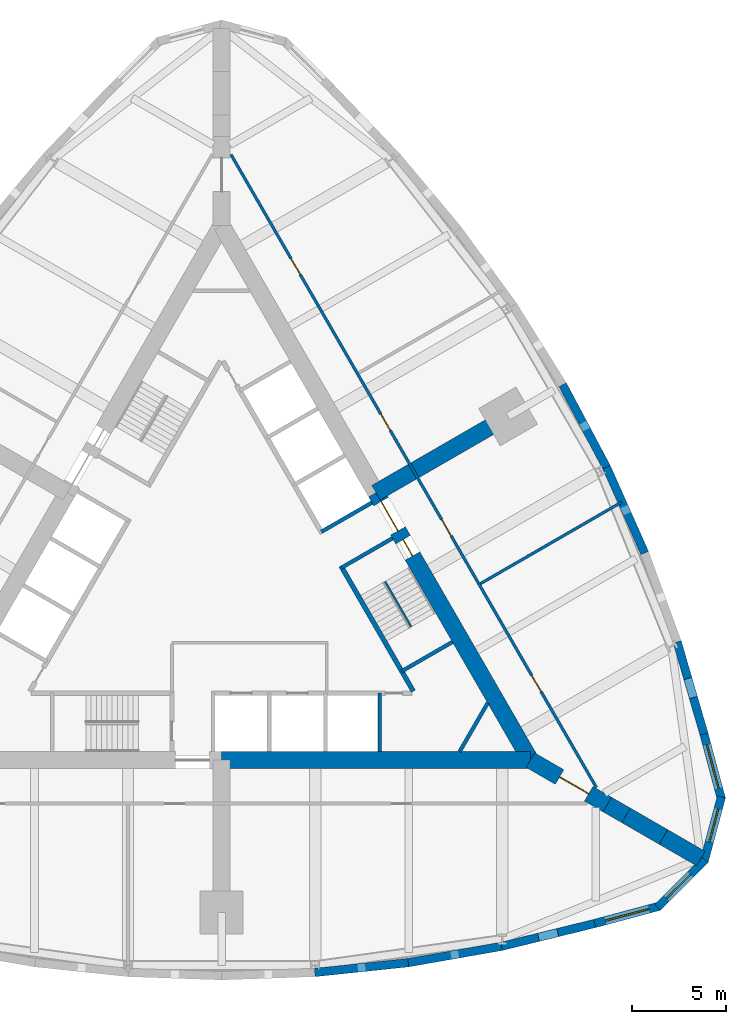
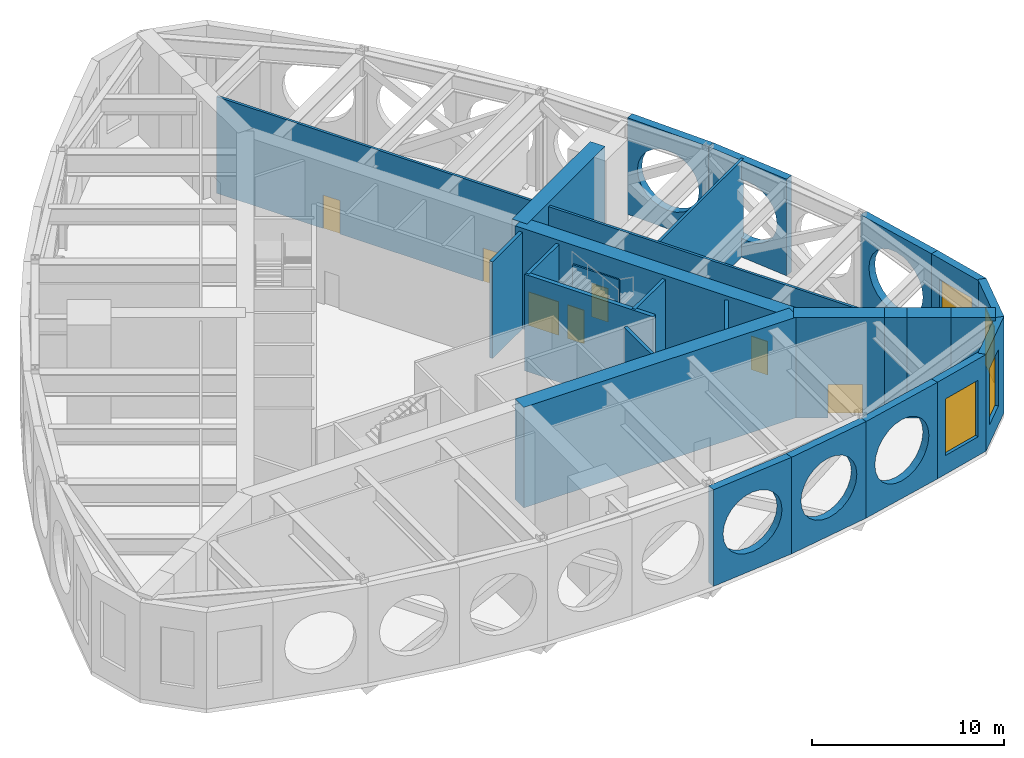
# One storey, part 4 of 7: 26 walls, 7 doors, 4 windows, 11 openings.
"""IFC4 building model written with IfcOpenShell, lengths in metres."""

from ifc_helpers import new_model, si_unit, direction, frame, frame_2d, origin, place, context, subcontext, project, spatial, polyline, rectangle, outline, extrude, material, layer, layer_set, type_object, element, fill, save


model = new_model("IFC4")

# Units and contexts
model_context = context("Model", 3, precision=1e-05, world=origin(), true_north=direction((0.0, 1.0)))
body_context = subcontext(model_context, "Body", "Model", "MODEL_VIEW")
ifc_project = project(units=[si_unit("LENGTHUNIT", "METRE"), si_unit("AREAUNIT", "SQUARE_METRE"), si_unit("VOLUMEUNIT", "CUBIC_METRE"), si_unit("PLANEANGLEUNIT", "RADIAN"), si_unit("MASSUNIT", "GRAM", prefix="KILO")], contexts=[model_context])

# Site, building, storey
site_placement = place(None, origin())
site = spatial("IfcSite", under=ifc_project, at=site_placement, CompositionType="ELEMENT")
building_placement = place(site_placement, origin())
building = spatial("IfcBuilding", under=site, at=building_placement, Name="Trikona Tower", CompositionType="ELEMENT")
storey_placement = place(building_placement, frame((0.0, 0.0, 189.5)))
storey = spatial("IfcBuildingStorey", under=building, at=storey_placement, Name="L51", CompositionType="ELEMENT", Elevation=189.5)

# Wall, opening, window
ifc_material_1 = material(Name="Brick-faced precast concrete", Category="masonry")
ifc_layer_1 = layer(ifc_material_1, 0.449951171875)
ifc_layer_set_1 = layer_set([ifc_layer_1], Name="Brick-faced corner wall 450")
wall_type_1 = type_object("IfcWallType", Name="Brick-faced corner wall 450", PredefinedType="SOLIDWALL", material=ifc_layer_set_1)
wall_1_placement = place(storey_placement, frame((19.94189453125, -18.2578125, 0.0), z_axis=(0.0, 0.0, 1.0), x_axis=(0.965924653531, 0.258823421857, 0.0)))
wall_1 = element("IfcWall", 1, at=wall_1_placement, inside=storey, type_object=wall_type_1, Name="External wall L51-08", PredefinedType="SOLIDWALL", context=body_context, shape_type="SweptSolid", body=[
    extrude(rectangle(XDim=3.58642578125, YDim=0.449951171875, at=frame_2d((1.793212890625, 0.0))), origin(), (0.0, 0.0, 1.0), 6.14990234375),
])
opening_1_placement = place(wall_1_placement, frame((0.593017578125, 0.0, 1.199951171875)))
opening_1 = element("IfcOpeningElement", 2, at=opening_1_placement, cuts=wall_1, Name="Opening W2436", PredefinedType="OPENING", context=body_context, shape_type="SweptSolid", body=[
    extrude(rectangle(XDim=2.39990234375, YDim=3.60009765625, at=frame_2d((1.199951171875, 1.800048828125))), frame((0.0, 0.23486328125, 0.0), z_axis=(0.0, -1.0, 0.0), x_axis=(1.0, 0.0, 0.0)), (0.0, 0.0, 1.0), 0.469970703125),
])
ifc_material_2 = material(Name="Aluminium-framed double glazing", Category="aluminium")
window_type_1 = type_object("IfcWindowType", Name="Window 2400x3600", PartitioningType="SINGLE_PANEL", PredefinedType="WINDOW", material=ifc_material_2)
window_1_placement = place(opening_1_placement, origin())
window_1 = element("IfcWindow", 3, at=window_1_placement, inside=storey, type_object=window_type_1, Name="Window L51-RFG1", OverallHeight=3.60009765625, OverallWidth=2.39990234375, PartitioningType="SINGLE_PANEL", PredefinedType="WINDOW", context=body_context, shape_type="SweptSolid", body=[
    extrude(rectangle(XDim=2.39990234375, YDim=3.60009765625, at=frame_2d((1.199951171875, 1.800048828125))), frame((0.0, 0.030029296875, 0.0), z_axis=(0.0, -1.0, 0.0), x_axis=(1.0, 0.0, 0.0)), (0.0, 0.0, 1.0), 0.06005859375),
])
fill(opening_1, window_1)

wall_2_placement = place(storey_placement, frame((23.304931640625, -17.387939453125, 0.0), z_axis=(0.0, 0.0, 1.0), x_axis=(0.707106781187, 0.707106781187, 0.0)))
wall_2 = element("IfcWall", 4, at=wall_2_placement, inside=storey, type_object=wall_type_1, Name="External wall L51-09", PredefinedType="SOLIDWALL", context=body_context, shape_type="SweptSolid", body=[
    extrude(outline(polyline([(3.586181640625, 0.22509765625), (3.527099609375, 0.22509765625), (3.03515625, 0.09326171875), (3.0, 0.22509765625), (0.0, 0.22509765625), (0.0, -0.22509765625), (3.586181640625, -0.22509765625), (3.586181640625, 0.22509765625)])), origin(), (0.0, 0.0, 1.0), 6.14990234375),
])
opening_2_placement = place(wall_2_placement, frame((0.6748046875, 0.0, 1.199951171875)))
opening_2 = element("IfcOpeningElement", 5, at=opening_2_placement, cuts=wall_2, Name="Opening W1836", PredefinedType="OPENING", context=body_context, shape_type="SweptSolid", body=[
    extrude(rectangle(XDim=1.800048828125, YDim=3.60009765625, at=frame_2d((0.89990234375, 1.800048828125))), frame((0.0, 0.23486328125, 0.0), z_axis=(0.0, -1.0, 0.0), x_axis=(1.0, 0.0, 0.0)), (0.0, 0.0, 1.0), 0.469970703125),
])
ifc_material_3 = material(Name="Aluminium-framed double glazing", Category="aluminium")
window_type_2 = type_object("IfcWindowType", Name="Window 1800x3600", PartitioningType="SINGLE_PANEL", PredefinedType="WINDOW", material=ifc_material_3)
window_2_placement = place(opening_2_placement, origin())
window_2 = element("IfcWindow", 6, at=window_2_placement, inside=storey, type_object=window_type_2, Name="Window L51-RFG1", OverallHeight=3.60009765625, OverallWidth=1.800048828125, PartitioningType="SINGLE_PANEL", PredefinedType="WINDOW", context=body_context, shape_type="SweptSolid", body=[
    extrude(rectangle(XDim=1.800048828125, YDim=3.60009765625, at=frame_2d((0.89990234375, 1.800048828125))), frame((0.0, 0.030029296875, 0.0), z_axis=(0.0, -1.0, 0.0), x_axis=(1.0, 0.0, 0.0)), (0.0, 0.0, 1.0), 0.06005859375),
])
fill(opening_2, window_2)

wall_3_placement = place(storey_placement, frame((25.78271484375, -14.952880859375, 0.0), z_axis=(0.0, 0.0, 1.0), x_axis=(0.258823421857, 0.965924653531, 0.0)))
wall_3 = element("IfcWall", 7, at=wall_3_placement, inside=storey, type_object=wall_type_1, Name="External wall L51-10", PredefinedType="SOLIDWALL", context=body_context, shape_type="SweptSolid", body=[
    extrude(outline(polyline([(3.58642578125, 0.22509765625), (0.58642578125, 0.22509765625), (0.551025390625, 0.09326171875), (0.0595703125, 0.22509765625), (0.0, 0.22509765625), (0.0, -0.22509765625), (3.58642578125, -0.22509765625), (3.58642578125, 0.22509765625)])), origin(), (0.0, 0.0, 1.0), 6.14990234375),
])
opening_3_placement = place(wall_3_placement, frame((1.111328125, 0.0, 1.199951171875)))
opening_3 = element("IfcOpeningElement", 8, at=opening_3_placement, cuts=wall_3, Name="Opening W1836", PredefinedType="OPENING", context=body_context, shape_type="SweptSolid", body=[
    extrude(rectangle(XDim=1.800048828125, YDim=3.60009765625, at=frame_2d((0.89990234375, 1.800048828125))), frame((0.0, 0.23486328125, 0.0), z_axis=(0.0, -1.0, 0.0), x_axis=(1.0, 0.0, 0.0)), (0.0, 0.0, 1.0), 0.469970703125),
])
window_3_placement = place(opening_3_placement, origin())
window_3 = element("IfcWindow", 9, at=window_3_placement, inside=storey, type_object=window_type_2, Name="Window L51-HXR", OverallHeight=3.60009765625, OverallWidth=1.800048828125, PartitioningType="SINGLE_PANEL", PredefinedType="WINDOW", context=body_context, shape_type="SweptSolid", body=[
    extrude(rectangle(XDim=1.800048828125, YDim=3.60009765625, at=frame_2d((0.89990234375, 1.800048828125))), frame((0.0, 0.030029296875, 0.0), z_axis=(0.0, -1.0, 0.0), x_axis=(1.0, 0.0, 0.0)), (0.0, 0.0, 1.0), 0.06005859375),
])
fill(opening_3, window_3)

wall_4_placement = place(storey_placement, frame((26.7109375, -11.605224609375, 0.0), z_axis=(0.0, 0.0, 1.0), x_axis=(-0.258823421857, 0.965924653531, 0.0)))
wall_4 = element("IfcWall", 10, at=wall_4_placement, inside=storey, type_object=wall_type_1, Name="External wall L51-11", PredefinedType="SOLIDWALL", context=body_context, shape_type="SweptSolid", body=[
    extrude(rectangle(XDim=3.58642578125, YDim=0.449951171875, at=frame_2d((1.793212890625, 0.0))), origin(), (0.0, 0.0, 1.0), 6.14990234375),
])
opening_4_placement = place(wall_4_placement, frame((0.593017578125, 0.0, 1.199951171875)))
opening_4 = element("IfcOpeningElement", 11, at=opening_4_placement, cuts=wall_4, Name="Opening W2436", PredefinedType="OPENING", context=body_context, shape_type="SweptSolid", body=[
    extrude(rectangle(XDim=2.39990234375, YDim=3.60009765625, at=frame_2d((1.199951171875, 1.800048828125))), frame((0.0, 0.23486328125, 0.0), z_axis=(0.0, -1.0, 0.0), x_axis=(1.0, 0.0, 0.0)), (0.0, 0.0, 1.0), 0.469970703125),
])
window_4_placement = place(opening_4_placement, origin())
window_4 = element("IfcWindow", 12, at=window_4_placement, inside=storey, type_object=window_type_1, Name="Window L51-HXR", OverallHeight=3.60009765625, OverallWidth=2.39990234375, PartitioningType="SINGLE_PANEL", PredefinedType="WINDOW", context=body_context, shape_type="SweptSolid", body=[
    extrude(rectangle(XDim=2.39990234375, YDim=3.60009765625, at=frame_2d((1.199951171875, 1.800048828125))), frame((0.0, 0.030029296875, 0.0), z_axis=(0.0, -1.0, 0.0), x_axis=(1.0, 0.0, 0.0)), (0.0, 0.0, 1.0), 0.06005859375),
])
fill(opening_4, window_4)

# Walls
ifc_material_4 = material(Name="Brick-faced precast concrete with louvred openings", Category="masonry")
ifc_layer_2 = layer(ifc_material_4, 0.449951171875)
ifc_layer_set_2 = layer_set([ifc_layer_2], Name="Brick-faced plant wall 450")
wall_type_2 = type_object("IfcWallType", Name="Brick-faced plant wall 450", PredefinedType="SOLIDWALL", material=ifc_layer_set_2)
wall_5_placement = place(storey_placement, frame((4.9765625, -20.87646484375, 0.0), z_axis=(0.0, 0.0, 1.0), x_axis=(0.994529640305, 0.104454748843, 0.0)))
element("IfcWall", 13, at=wall_5_placement, inside=storey, type_object=wall_type_2, Name="External wall L51-05", PredefinedType="SOLIDWALL", context=body_context, shape_type="SweptSolid", body=[
    extrude(outline(polyline([(0.0, 0.0), (5.027587890625, 0.0), (5.027587890625, 6.14990234375), (0.0, 6.14990234375), (0.0, 0.0)]), holes=[polyline([(4.413818359375, 3.074951171875), (4.34912109375, 3.56689453125), (4.1591796875, 4.02490234375), (3.857177734375, 4.41845703125), (3.463623046875, 4.720458984375), (3.005615234375, 4.910400390625), (2.513671875, 4.97509765625), (2.02197265625, 4.910400390625), (1.563720703125, 4.720458984375), (1.170166015625, 4.41845703125), (0.868408203125, 4.02490234375), (0.678466796875, 3.56689453125), (0.61376953125, 3.074951171875), (0.678466796875, 2.583251953125), (0.868408203125, 2.125), (1.170166015625, 1.7314453125), (1.563720703125, 1.4296875), (2.02197265625, 1.23974609375), (2.513671875, 1.175048828125), (3.005615234375, 1.23974609375), (3.463623046875, 1.4296875), (3.857177734375, 1.7314453125), (4.1591796875, 2.125), (4.34912109375, 2.583251953125), (4.413818359375, 3.074951171875)])]), frame((0.0, 0.22509765625, 0.0), z_axis=(0.0, -1.0, 0.0), x_axis=(1.0, 0.0, 0.0)), (0.0, 0.0, 1.0), 0.449951171875),
])
wall_6_placement = place(storey_placement, frame((9.961181640625, -20.353515625, 0.0), z_axis=(0.0, 0.0, 1.0), x_axis=(0.985030467156, 0.172380331752, 0.0)))
element("IfcWall", 14, at=wall_6_placement, inside=storey, type_object=wall_type_2, Name="External wall L51-06", PredefinedType="SOLIDWALL", context=body_context, shape_type="SweptSolid", body=[
    extrude(outline(polyline([(0.0, 0.0), (5.075927734375, 0.0), (5.075927734375, 6.14990234375), (0.0, 6.14990234375), (0.0, 0.0)]), holes=[polyline([(4.43798828125, 3.074951171875), (4.373291015625, 3.56689453125), (4.183349609375, 4.02490234375), (3.881591796875, 4.41845703125), (3.488037109375, 4.720458984375), (3.02978515625, 4.910400390625), (2.5380859375, 4.97509765625), (2.046142578125, 4.910400390625), (1.587890625, 4.720458984375), (1.194580078125, 4.41845703125), (0.892578125, 4.02490234375), (0.70263671875, 3.56689453125), (0.637939453125, 3.074951171875), (0.70263671875, 2.583251953125), (0.892578125, 2.125), (1.194580078125, 1.7314453125), (1.587890625, 1.4296875), (2.046142578125, 1.23974609375), (2.5380859375, 1.175048828125), (3.02978515625, 1.23974609375), (3.488037109375, 1.4296875), (3.881591796875, 1.7314453125), (4.183349609375, 2.125), (4.373291015625, 2.583251953125), (4.43798828125, 3.074951171875)])]), frame((0.0, 0.22509765625, 0.0), z_axis=(0.0, -1.0, 0.0), x_axis=(1.0, 0.0, 0.0)), (0.0, 0.0, 1.0), 0.449951171875),
])
for number, where, z_axis, x_axis, name in (
    (15, (14.946533203125, -19.481689453125, 0.0), (0.0, 0.0, 1.0), (0.971270024053, 0.237980126011, 0.0), "External wall L51-07"),
    (16, (25.783935546875, -8.145751953125, 0.0), (0.0, 0.0, 1.0), (-0.279528287117, 0.960137457191, 0.0), "External wall L51-12"),
):
    element("IfcWall", number, at=place(storey_placement, frame(where, z_axis=z_axis, x_axis=x_axis)), inside=storey, type_object=wall_type_2, Name=name, PredefinedType="SOLIDWALL", context=body_context, shape_type="SweptSolid", body=[
        extrude(outline(polyline([(0.0, 0.0), (5.14794921875, 0.0), (5.14794921875, 6.14990234375), (0.0, 6.14990234375), (0.0, 0.0)]), holes=[polyline([(4.52392578125, 3.074951171875), (4.45751953125, 3.57958984375), (4.2626953125, 4.050048828125), (3.952880859375, 4.453857421875), (3.548828125, 4.763671875), (3.07861328125, 4.95849609375), (2.573974609375, 5.02490234375), (2.069091796875, 4.95849609375), (1.598876953125, 4.763671875), (1.195068359375, 4.453857421875), (0.88525390625, 4.050048828125), (0.6904296875, 3.57958984375), (0.623779296875, 3.074951171875), (0.6904296875, 2.5703125), (0.88525390625, 2.10009765625), (1.195068359375, 1.696044921875), (1.598876953125, 1.38623046875), (2.069091796875, 1.19140625), (2.573974609375, 1.125), (3.07861328125, 1.19140625), (3.548828125, 1.38623046875), (3.952880859375, 1.696044921875), (4.2626953125, 2.10009765625), (4.45751953125, 2.5703125), (4.52392578125, 3.074951171875)])]), frame((0.0, 0.22509765625, 0.0), z_axis=(0.0, -1.0, 0.0), x_axis=(1.0, 0.0, 0.0)), (0.0, 0.0, 1.0), 0.449951171875),
    ])
wall_7_placement = place(storey_placement, frame((22.61328125, 1.535888671875, 0.0), z_axis=(0.0, 0.0, 1.0), x_axis=(-0.406850247885, 0.913494869058, 0.0)))
element("IfcWall", 17, at=wall_7_placement, inside=storey, type_object=wall_type_2, Name="External wall L51-14", PredefinedType="SOLIDWALL", context=body_context, shape_type="SweptSolid", body=[
    extrude(outline(polyline([(0.0, 0.0), (5.02734375, 0.0), (5.02734375, 6.14990234375), (0.0, 6.14990234375), (0.0, 0.0)]), holes=[polyline([(4.413818359375, 3.074951171875), (4.34912109375, 3.56689453125), (4.1591796875, 4.02490234375), (3.857177734375, 4.41845703125), (3.463623046875, 4.720458984375), (3.005615234375, 4.910400390625), (2.513671875, 4.97509765625), (2.02197265625, 4.910400390625), (1.563720703125, 4.720458984375), (1.170166015625, 4.41845703125), (0.868408203125, 4.02490234375), (0.678466796875, 3.56689453125), (0.61376953125, 3.074951171875), (0.678466796875, 2.583251953125), (0.868408203125, 2.125), (1.170166015625, 1.7314453125), (1.563720703125, 1.4296875), (2.02197265625, 1.23974609375), (2.513671875, 1.175048828125), (3.005615234375, 1.23974609375), (3.463623046875, 1.4296875), (3.857177734375, 1.7314453125), (4.1591796875, 2.125), (4.34912109375, 2.583251953125), (4.413818359375, 3.074951171875)])]), frame((0.0, 0.22509765625, 0.0), z_axis=(0.0, -1.0, 0.0), x_axis=(1.0, 0.0, 0.0)), (0.0, 0.0, 1.0), 0.449951171875),
])
wall_8_placement = place(storey_placement, frame((20.57470703125, 6.114501953125, 0.0), z_axis=(0.0, 0.0, 1.0), x_axis=(-0.469404966864, 0.882982999317, 0.0)))
element("IfcWall", 18, at=wall_8_placement, inside=storey, type_object=wall_type_2, Name="External wall L51-15", PredefinedType="SOLIDWALL", context=body_context, shape_type="SweptSolid", body=[
    extrude(outline(polyline([(0.0, 0.0), (5.0029296875, 0.0), (5.0029296875, 6.14990234375), (0.0, 6.14990234375), (0.0, 0.0)]), holes=[polyline([(4.401611328125, 3.074951171875), (4.3369140625, 3.56689453125), (4.14697265625, 4.02490234375), (3.844970703125, 4.41845703125), (3.451416015625, 4.720458984375), (2.993408203125, 4.910400390625), (2.50146484375, 4.97509765625), (2.009765625, 4.910400390625), (1.551513671875, 4.720458984375), (1.157958984375, 4.41845703125), (0.856201171875, 4.02490234375), (0.666259765625, 3.56689453125), (0.6015625, 3.074951171875), (0.666259765625, 2.583251953125), (0.856201171875, 2.125), (1.157958984375, 1.7314453125), (1.551513671875, 1.4296875), (2.009765625, 1.23974609375), (2.50146484375, 1.175048828125), (2.993408203125, 1.23974609375), (3.451416015625, 1.4296875), (3.844970703125, 1.7314453125), (4.14697265625, 2.125), (4.3369140625, 2.583251953125), (4.401611328125, 3.074951171875)])]), frame((0.0, 0.22509765625, 0.0), z_axis=(0.0, -1.0, 0.0), x_axis=(1.0, 0.0, 0.0)), (0.0, 0.0, 1.0), 0.449951171875),
])

# Wall, opening, door
ifc_material_5 = material(Name="Concrete f'c 10000 psi", Category="concrete")
ifc_layer_3 = layer(ifc_material_5, 0.89990234375)
ifc_layer_set_3 = layer_set([ifc_layer_3], Name="Buttress wall 900")
wall_type_3 = type_object("IfcWallType", Name="Buttress wall 900", PredefinedType="SHEAR", material=ifc_layer_set_3)
wall_9_placement = place(storey_placement, frame((16.5, -9.5263671875, 0.0), z_axis=(0.0, 0.0, 1.0), x_axis=(0.866031398331, -0.499989616998, 0.0)))
wall_9 = element("IfcWall", 19, at=wall_9_placement, inside=storey, type_object=wall_type_3, Name="Buttress wall 1", PredefinedType="SHEAR", context=body_context, shape_type="SweptSolid", body=[
    extrude(rectangle(XDim=4.74609375, YDim=0.89990234375, at=frame_2d((2.373046875, 0.0))), origin(), (0.0, 0.0, 1.0), 6.39990234375),
])
opening_5_placement = place(wall_9_placement, frame((1.800048828125, 0.0, 0.0)))
opening_5 = element("IfcOpeningElement", 20, at=opening_5_placement, cuts=wall_9, Name="Opening D10", PredefinedType="OPENING", context=body_context, shape_type="SweptSolid", body=[
    extrude(rectangle(XDim=1.800048828125, YDim=2.1298828125, at=frame_2d((0.89990234375, 1.06494140625))), frame((0.0, 0.4599609375, 0.0), z_axis=(0.0, -1.0, 0.0), x_axis=(1.0, 0.0, 0.0)), (0.0, 0.0, 1.0), 0.919921875),
])
ifc_material_6 = material(Name="Hollow metal door and frame", Category="steel")
door_type_1 = type_object("IfcDoorType", Name="Cross-corridor door pair 1800x2130", OperationType="DOUBLE_DOOR_DOUBLE_SWING", PredefinedType="DOOR", material=ifc_material_6)
door_1_placement = place(opening_5_placement, origin())
door_1 = element("IfcDoor", 21, at=door_1_placement, inside=storey, type_object=door_type_1, Name="Cross-corridor door 1", OperationType="DOUBLE_DOOR_DOUBLE_SWING", OverallHeight=2.1298828125, OverallWidth=1.800048828125, PredefinedType="DOOR", context=body_context, shape_type="SweptSolid", body=[
    extrude(rectangle(XDim=1.800048828125, YDim=2.1298828125, at=frame_2d((0.89990234375, 1.06494140625))), frame((0.0, 0.02490234375, 0.0), z_axis=(0.0, -1.0, 0.0), x_axis=(1.0, 0.0, 0.0)), (0.0, 0.0, 1.0), 0.050048828125),
])
fill(opening_5, door_1)

# Walls
wall_10_placement = place(storey_placement, frame((20.6103515625, -11.8994140625, 0.0), z_axis=(0.0, 0.0, 1.0), x_axis=(0.866009537788, -0.500027479704, 0.0)))
element("IfcWall", 22, at=wall_10_placement, inside=storey, type_object=wall_type_3, Name="Buttress wall 1 part 2", PredefinedType="SHEAR", context=body_context, shape_type="SweptSolid", body=[
    extrude(rectangle(XDim=1.15478515625, YDim=0.89990234375, at=frame_2d((0.577392578125, 0.0))), origin(), (0.0, 0.0, 1.0), 6.39990234375),
])
for number, where, z_axis, x_axis, name in (
    (23, (21.6103515625, -12.476806640625, 0.0), (0.0, 0.0, 1.0), (0.866055313784, -0.499948190782, 0.0), "Buttress wall 1 part 3"),
    (24, (23.6103515625, -13.63134765625, 0.0), (0.0, 0.0, 1.0), (0.866009537788, -0.500027479704, 0.0), "Buttress wall 1 part 4"),
):
    element("IfcWall", number, at=place(storey_placement, frame(where, z_axis=z_axis, x_axis=x_axis)), inside=storey, type_object=wall_type_3, Name=name, PredefinedType="SHEAR", context=body_context, shape_type="SweptSolid", body=[
        extrude(rectangle(XDim=2.309326171875, YDim=0.89990234375, at=frame_2d((1.15478515625, 0.0))), origin(), (0.0, 0.0, 1.0), 6.39990234375),
    ])
ifc_material_7 = material(Name="Concrete f'c 10000 psi", Category="concrete")
ifc_layer_4 = layer(ifc_material_7, 0.89990234375)
ifc_layer_set_4 = layer_set([ifc_layer_4], Name="Core wall 900")
wall_type_4 = type_object("IfcWallType", Name="Core wall 900", PredefinedType="SHEAR", material=ifc_layer_set_4)
wall_11_placement = place(storey_placement, frame((0.0, -9.5263671875, 0.0), z_axis=(0.0, 0.0, 1.0), x_axis=(1.0, 0.0, 0.0)))
element("IfcWall", 25, at=wall_11_placement, inside=storey, type_object=wall_type_4, Name="Core wall A2", PredefinedType="SHEAR", context=body_context, shape_type="SweptSolid", body=[
    extrude(rectangle(XDim=16.5, YDim=0.89990234375, at=frame_2d((8.25, 0.0))), origin(), (0.0, 0.0, 1.0), 6.39990234375),
])

# Wall, openings, doors
wall_12_placement = place(storey_placement, frame((16.5, -9.5263671875, 0.0), z_axis=(0.0, 0.0, 1.0), x_axis=(-0.499996545922, 0.866027397988, 0.0)))
wall_12 = element("IfcWall", 26, at=wall_12_placement, inside=storey, type_object=wall_type_4, Name="Core wall B1", PredefinedType="SHEAR", context=body_context, shape_type="SweptSolid", body=[
    extrude(rectangle(XDim=16.5, YDim=0.89990234375, at=frame_2d((8.25, 0.0))), origin(), (0.0, 0.0, 1.0), 6.39990234375),
])
opening_6_placement = place(wall_12_placement, frame((14.14990234375, 0.0, 0.0)))
opening_6 = element("IfcOpeningElement", 27, at=opening_6_placement, cuts=wall_12, Name="Opening D6", PredefinedType="OPENING", context=body_context, shape_type="SweptSolid", body=[
    extrude(rectangle(XDim=1.800048828125, YDim=2.1298828125, at=frame_2d((0.89990234375, 1.06494140625))), frame((0.0, 0.4599609375, 0.0), z_axis=(0.0, -1.0, 0.0), x_axis=(1.0, 0.0, 0.0)), (0.0, 0.0, 1.0), 0.919921875),
])
opening_7_placement = place(wall_12_placement, frame((12.60009765625, 0.0, 0.0)))
opening_7 = element("IfcOpeningElement", 28, at=opening_7_placement, cuts=wall_12, Name="Opening D5", PredefinedType="OPENING", context=body_context, shape_type="SweptSolid", body=[
    extrude(rectangle(XDim=1.0, YDim=2.1298828125, at=frame_2d((0.5, 1.06494140625))), frame((0.0, 0.4599609375, 0.0), z_axis=(0.0, -1.0, 0.0), x_axis=(1.0, 0.0, 0.0)), (0.0, 0.0, 1.0), 0.919921875),
])
ifc_material_8 = material(Name="Hollow metal door and frame", Category="steel")
door_type_2 = type_object("IfcDoorType", Name="Lobby door pair 1800x2130", OperationType="DOUBLE_DOOR_SINGLE_SWING", PredefinedType="DOOR", material=ifc_material_8)
door_2_placement = place(opening_6_placement, origin())
door_2 = element("IfcDoor", 29, at=door_2_placement, inside=storey, type_object=door_type_2, Name="Lift lobby door B", OperationType="DOUBLE_DOOR_SINGLE_SWING", OverallHeight=2.1298828125, OverallWidth=1.800048828125, PredefinedType="DOOR", context=body_context, shape_type="SweptSolid", body=[
    extrude(rectangle(XDim=1.800048828125, YDim=2.1298828125, at=frame_2d((0.89990234375, 1.06494140625))), frame((0.0, 0.02490234375, 0.0), z_axis=(0.0, -1.0, 0.0), x_axis=(1.0, 0.0, 0.0)), (0.0, 0.0, 1.0), 0.050048828125),
])
fill(opening_6, door_2)
ifc_material_9 = material(Name="Hollow metal door and frame", Category="steel")
door_type_3 = type_object("IfcDoorType", Name="Stair door 1000x2130", OperationType="SINGLE_SWING_LEFT", PredefinedType="DOOR", material=ifc_material_9)
door_3_placement = place(opening_7_placement, origin())
door_3 = element("IfcDoor", 30, at=door_3_placement, inside=storey, type_object=door_type_3, Name="Stair B door", OperationType="SINGLE_SWING_RIGHT", OverallHeight=2.1298828125, OverallWidth=1.0, PredefinedType="DOOR", context=body_context, shape_type="SweptSolid", body=[
    extrude(rectangle(XDim=1.0, YDim=2.1298828125, at=frame_2d((0.5, 1.06494140625))), frame((0.0, 0.02490234375, 0.0), z_axis=(0.0, -1.0, 0.0), x_axis=(1.0, 0.0, 0.0)), (0.0, 0.0, 1.0), 0.050048828125),
])
fill(opening_7, door_3)

ifc_material_10 = material(Name="Metal stud and gypsum board, 1-hour", Category="gypsum")
ifc_layer_5 = layer(ifc_material_10, 0.14990234375)
ifc_layer_set_5 = layer_set([ifc_layer_5], Name="Corridor wall 150")
wall_type_5 = type_object("IfcWallType", Name="Corridor wall 150", PredefinedType="PARTITIONING", material=ifc_layer_set_5)
wall_13_placement = place(storey_placement, frame((20.027099609375, -10.9853515625, 0.0), z_axis=(0.0, 0.0, 1.0), x_axis=(-0.500001677587, 0.866024435227, 0.0)))
wall_13 = element("IfcWall", 31, at=wall_13_placement, inside=storey, type_object=wall_type_5, Name="Corridor wall L51-2", PredefinedType="PARTITIONING", context=body_context, shape_type="SweptSolid", body=[
    extrude(rectangle(XDim=39.053955078125, YDim=0.14990234375, at=frame_2d((19.52685546875, 0.0))), origin(), (0.0, 0.0, 1.0), 6.14990234375),
])
opening_8_placement = place(wall_13_placement, frame((5.91357421875, 0.0, 0.0)))
opening_8 = element("IfcOpeningElement", 32, at=opening_8_placement, cuts=wall_13, Name="Opening D3", PredefinedType="OPENING", context=body_context, shape_type="SweptSolid", body=[
    extrude(rectangle(XDim=1.0, YDim=2.1298828125, at=frame_2d((0.5, 1.06494140625))), frame((0.0, 0.0849609375, 0.0), z_axis=(0.0, -1.0, 0.0), x_axis=(1.0, 0.0, 0.0)), (0.0, 0.0, 1.0), 0.169921875),
])
opening_9_placement = place(wall_13_placement, frame((15.527099609375, 0.0, 0.0)))
opening_9 = element("IfcOpeningElement", 33, at=opening_9_placement, cuts=wall_13, Name="Opening D3", PredefinedType="OPENING", context=body_context, shape_type="SweptSolid", body=[
    extrude(rectangle(XDim=1.0, YDim=2.1298828125, at=frame_2d((0.5, 1.06494140625))), frame((0.0, 0.0849609375, 0.0), z_axis=(0.0, -1.0, 0.0), x_axis=(1.0, 0.0, 0.0)), (0.0, 0.0, 1.0), 0.169921875),
])
opening_10_placement = place(wall_13_placement, frame((22.027099609375, 0.0, 0.0)))
opening_10 = element("IfcOpeningElement", 34, at=opening_10_placement, cuts=wall_13, Name="Opening D3", PredefinedType="OPENING", context=body_context, shape_type="SweptSolid", body=[
    extrude(rectangle(XDim=1.0, YDim=2.1298828125, at=frame_2d((0.5, 1.06494140625))), frame((0.0, 0.0849609375, 0.0), z_axis=(0.0, -1.0, 0.0), x_axis=(1.0, 0.0, 0.0)), (0.0, 0.0, 1.0), 0.169921875),
])
opening_11_placement = place(wall_13_placement, frame((31.640380859375, 0.0, 0.0)))
opening_11 = element("IfcOpeningElement", 35, at=opening_11_placement, cuts=wall_13, Name="Opening D3", PredefinedType="OPENING", context=body_context, shape_type="SweptSolid", body=[
    extrude(rectangle(XDim=1.0, YDim=2.1298828125, at=frame_2d((0.5, 1.06494140625))), frame((0.0, 0.0849609375, 0.0), z_axis=(0.0, -1.0, 0.0), x_axis=(1.0, 0.0, 0.0)), (0.0, 0.0, 1.0), 0.169921875),
])
ifc_material_11 = material(Name="Steel door frame with solid-core timber leaf", Category="steel")
door_type_4 = type_object("IfcDoorType", Name="Room door 1000x2130", OperationType="SINGLE_SWING_LEFT", PredefinedType="DOOR", material=ifc_material_11)
door_4_placement = place(opening_8_placement, origin())
door_4 = element("IfcDoor", 36, at=door_4_placement, inside=storey, type_object=door_type_4, Name="Door Heat exchanger plant room", OperationType="SINGLE_SWING_LEFT", OverallHeight=2.1298828125, OverallWidth=1.0, PredefinedType="DOOR", context=body_context, shape_type="SweptSolid", body=[
    extrude(rectangle(XDim=1.0, YDim=2.1298828125, at=frame_2d((0.5, 1.06494140625))), frame((0.0, 0.02490234375, 0.0), z_axis=(0.0, -1.0, 0.0), x_axis=(1.0, 0.0, 0.0)), (0.0, 0.0, 1.0), 0.050048828125),
])
fill(opening_8, door_4)
door_5_placement = place(opening_9_placement, origin())
door_5 = element("IfcDoor", 37, at=door_5_placement, inside=storey, type_object=door_type_4, Name="Door Air handling plant", OperationType="SINGLE_SWING_RIGHT", OverallHeight=2.1298828125, OverallWidth=1.0, PredefinedType="DOOR", context=body_context, shape_type="SweptSolid", body=[
    extrude(rectangle(XDim=1.0, YDim=2.1298828125, at=frame_2d((0.5, 1.06494140625))), frame((0.0, 0.02490234375, 0.0), z_axis=(0.0, -1.0, 0.0), x_axis=(1.0, 0.0, 0.0)), (0.0, 0.0, 1.0), 0.050048828125),
])
fill(opening_9, door_5)
door_6_placement = place(opening_10_placement, origin())
door_6 = element("IfcDoor", 38, at=door_6_placement, inside=storey, type_object=door_type_4, Name="Door Chilled water pump plant room", OperationType="SINGLE_SWING_LEFT", OverallHeight=2.1298828125, OverallWidth=1.0, PredefinedType="DOOR", context=body_context, shape_type="SweptSolid", body=[
    extrude(rectangle(XDim=1.0, YDim=2.1298828125, at=frame_2d((0.5, 1.06494140625))), frame((0.0, 0.02490234375, 0.0), z_axis=(0.0, -1.0, 0.0), x_axis=(1.0, 0.0, 0.0)), (0.0, 0.0, 1.0), 0.050048828125),
])
fill(opening_10, door_6)
door_7_placement = place(opening_11_placement, origin())
door_7 = element("IfcDoor", 39, at=door_7_placement, inside=storey, type_object=door_type_4, Name="Door Building management system room", OperationType="SINGLE_SWING_RIGHT", OverallHeight=2.1298828125, OverallWidth=1.0, PredefinedType="DOOR", context=body_context, shape_type="SweptSolid", body=[
    extrude(rectangle(XDim=1.0, YDim=2.1298828125, at=frame_2d((0.5, 1.06494140625))), frame((0.0, 0.02490234375, 0.0), z_axis=(0.0, -1.0, 0.0), x_axis=(1.0, 0.0, 0.0)), (0.0, 0.0, 1.0), 0.050048828125),
])
fill(opening_11, door_7)

# Walls
ifc_material_12 = material(Name="Concrete f'c 8000 psi", Category="concrete")
ifc_layer_6 = layer(ifc_material_12, 0.25)
ifc_layer_set_6 = layer_set([ifc_layer_6], Name="Hub wall 250")
wall_type_6 = type_object("IfcWallType", Name="Hub wall 250", PredefinedType="SOLIDWALL", material=ifc_layer_set_6)
wall_14_placement = place(storey_placement, frame((10.245361328125, -5.843017578125, 0.0), z_axis=(0.0, 0.0, 1.0), x_axis=(-0.499993009313, 0.866029439822, 0.0)))
element("IfcWall", 40, at=wall_14_placement, inside=storey, type_object=wall_type_6, Name="Lift lobby wall B1", PredefinedType="SOLIDWALL", context=body_context, shape_type="SweptSolid", body=[
    extrude(rectangle(XDim=7.73291015625, YDim=0.25, at=frame_2d((3.866455078125, 0.0))), origin(), (0.0, 0.0, 1.0), 6.14990234375),
])
ifc_material_13 = material(Name="Concrete f'c 10000 psi", Category="concrete")
ifc_layer_7 = layer(ifc_material_13, 0.89990234375)
ifc_layer_set_7 = layer_set([ifc_layer_7], Name="Outrigger wall 900")
wall_type_7 = type_object("IfcWallType", Name="Outrigger wall 900", PredefinedType="SHEAR", material=ifc_layer_set_7)
wall_15_placement = place(storey_placement, frame((8.25, 4.76318359375, 0.0), z_axis=(0.0, 0.0, 1.0), x_axis=(0.866023543838, 0.500003221507, 0.0)))
element("IfcWall", 41, at=wall_15_placement, inside=storey, type_object=wall_type_7, Name="Outrigger wall 2", PredefinedType="SHEAR", context=body_context, shape_type="SweptSolid", body=[
    extrude(rectangle(XDim=8.154296875, YDim=0.89990234375, at=frame_2d((4.0771484375, 0.0))), origin(), (0.0, 0.0, 1.0), 6.39990234375),
])
ifc_material_14 = material(Name="Metal stud and gypsum board, 1-hour acoustic", Category="gypsum")
ifc_layer_8 = layer(ifc_material_14, 0.14990234375)
ifc_layer_set_8 = layer_set([ifc_layer_8], Name="Party wall 150")
wall_type_8 = type_object("IfcWallType", Name="Party wall 150", PredefinedType="PARTITIONING", material=ifc_layer_set_8)
wall_16_placement = place(storey_placement, frame((13.82861328125, -0.09912109375, 0.0), z_axis=(0.0, 0.0, 1.0), x_axis=(0.866013391923, 0.500020804578, 0.0)))
element("IfcWall", 42, at=wall_16_placement, inside=storey, type_object=wall_type_8, Name="Partition L51 F2 u-7", PredefinedType="PARTITIONING", context=body_context, shape_type="SweptSolid", body=[
    extrude(rectangle(XDim=8.712646484375, YDim=0.14990234375, at=frame_2d((4.3564453125, 0.0))), origin(), (0.0, 0.0, 1.0), 6.14990234375),
])
ifc_material_15 = material(Name="Concrete f'c 8000 psi", Category="concrete")
ifc_layer_9 = layer(ifc_material_15, 0.199951171875)
ifc_layer_set_9 = layer_set([ifc_layer_9], Name="Shaft wall 200")
wall_type_9 = type_object("IfcWallType", Name="Shaft wall 200", PredefinedType="SOLIDWALL", material=ifc_layer_set_9)
for number, where, z_axis, x_axis, name in (
    (43, (8.449951171875, -5.951416015625, 0.0), (0.0, 0.0, 1.0), (0.0, -1.0, 0.0), "Shaft wall A6"),
    (44, (5.3291015625, 2.672607421875, 0.0), (0.0, 0.0, 1.0), (0.866022959057, 0.500004234368, 0.0), "Shaft wall B3"),
):
    element("IfcWall", number, at=place(storey_placement, frame(where, z_axis=z_axis, x_axis=x_axis)), inside=storey, type_object=wall_type_9, Name=name, PredefinedType="SOLIDWALL", context=body_context, shape_type="SweptSolid", body=[
        extrude(rectangle(XDim=3.125, YDim=0.199951171875, at=frame_2d((1.5625, 0.0))), origin(), (0.0, 0.0, 1.0), 6.14990234375),
    ])
wall_17_placement = place(storey_placement, frame((14.219482421875, -6.476318359375, 0.0), z_axis=(0.0, 0.0, 1.0), x_axis=(-0.499952404951, -0.866052881055, 0.0)))
element("IfcWall", 45, at=wall_17_placement, inside=storey, type_object=wall_type_9, Name="Riser wall L51-RS1", PredefinedType="SOLIDWALL", context=body_context, shape_type="SweptSolid", body=[
    extrude(rectangle(XDim=3.002197265625, YDim=0.199951171875, at=frame_2d((1.5009765625, 0.0))), origin(), (0.0, 0.0, 1.0), 6.14990234375),
])
ifc_material_16 = material(Name="Concrete f'c 8000 psi", Category="concrete")
ifc_layer_10 = layer(ifc_material_16, 0.199951171875)
ifc_layer_set_10 = layer_set([ifc_layer_10], Name="Shaft wall 200 load-bearing")
wall_type_10 = type_object("IfcWallType", Name="Shaft wall 200 load-bearing", PredefinedType="SOLIDWALL", material=ifc_layer_set_10)
for number, where, z_axis, x_axis, name in (
    (46, (9.62890625, -4.775390625, 0.0), (0.0, 0.0, 1.0), (0.866022959057, 0.500004234368, 0.0), "Shaft wall B1"),
    (47, (6.428955078125, 0.767333984375, 0.0), (0.0, 0.0, 1.0), (0.866022959057, 0.500004234368, 0.0), "Shaft wall B2"),
):
    element("IfcWall", number, at=place(storey_placement, frame(where, z_axis=z_axis, x_axis=x_axis)), inside=storey, type_object=wall_type_10, Name=name, PredefinedType="SOLIDWALL", context=body_context, shape_type="SweptSolid", body=[
        extrude(rectangle(XDim=3.125, YDim=0.199951171875, at=frame_2d((1.5625, 0.0))), origin(), (0.0, 0.0, 1.0), 6.14990234375),
    ])
ifc_material_17 = material(Name="Concrete f'c 5000 psi", Category="concrete")
ifc_layer_11 = layer(ifc_material_17, 0.10009765625)
ifc_layer_set_11 = layer_set([ifc_layer_11], Name="Stair spine wall 100")
wall_type_11 = type_object("IfcWallType", Name="Stair spine wall 100", PredefinedType="SOLIDWALL", material=ifc_layer_set_11)
wall_18_placement = place(storey_placement, frame((10.134765625, -2.4013671875, 0.0), z_axis=(0.0, 0.0, 1.0), x_axis=(-0.499992232847, 0.866029888106, 0.0)))
element("IfcWall", 48, at=wall_18_placement, inside=storey, type_object=wall_type_11, Name="Stair B spine wall L51", PredefinedType="SOLIDWALL", context=body_context, shape_type="SweptSolid", body=[
    extrude(rectangle(XDim=2.7939453125, YDim=0.10009765625, at=frame_2d((1.39697265625, 0.0))), origin(), (0.0, 0.0, 1.0), 6.39990234375),
])

save(model, "model.ifc")
